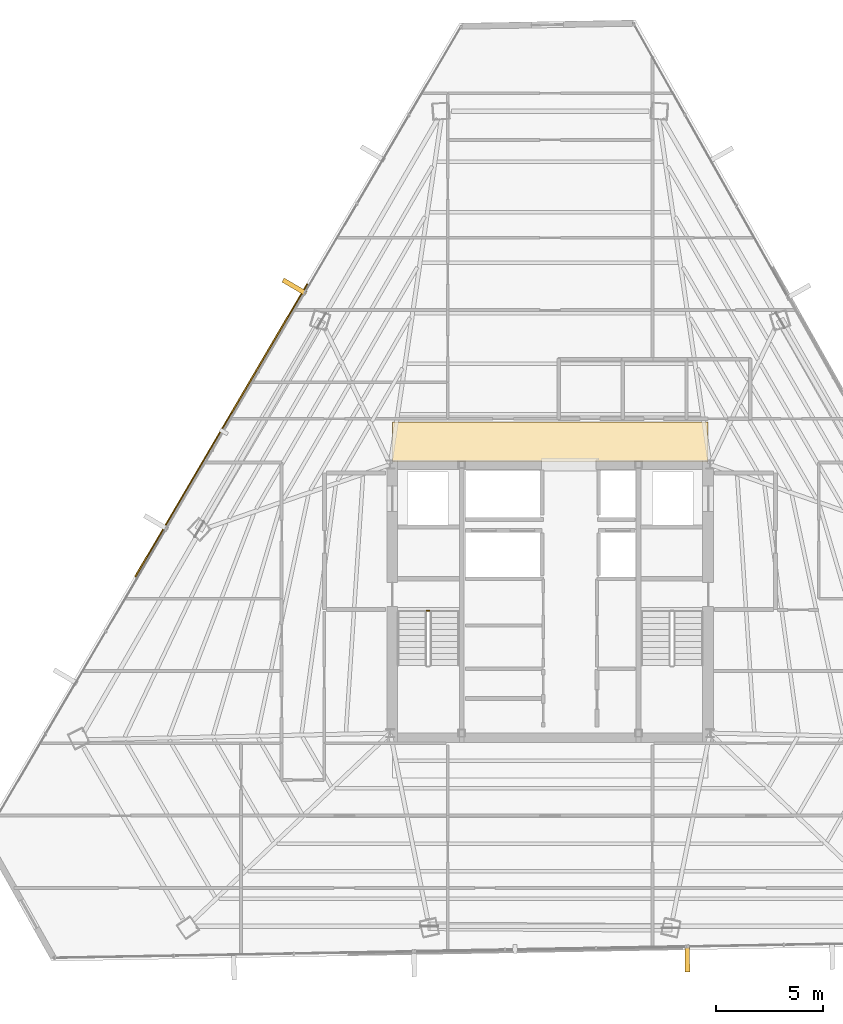
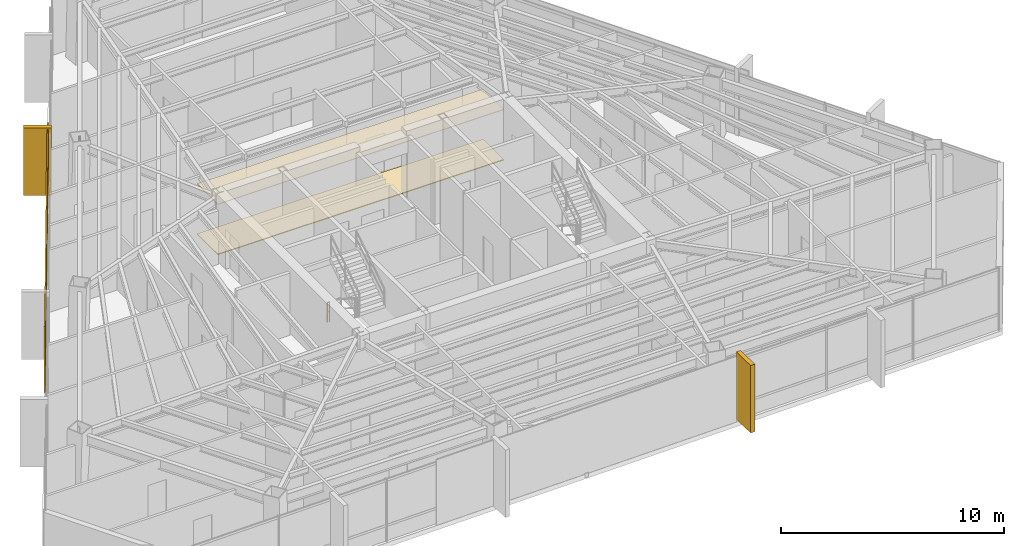
# One storey, part 40 of 42: 4 coverings, 1 railing, 1 shading device.
"""IFC4 building model written with IfcOpenShell, lengths in metres."""

from ifc_helpers import new_model, si_unit, direction, frame, origin, origin_2d, place, context, subcontext, project, spatial, polyline, rectangle, outline, extrude, source, transform, mapped, material, layer, layer_set, type_object, type_shapes, element, save


model = new_model("IFC4")

# Units and contexts
model_context = context("Model", 3, precision=1e-05, world=origin(), true_north=direction((0.0, 1.0)))
body_context = subcontext(model_context, "Body", "Model", "MODEL_VIEW")
ifc_project = project(units=[si_unit("LENGTHUNIT", "METRE"), si_unit("AREAUNIT", "SQUARE_METRE"), si_unit("VOLUMEUNIT", "CUBIC_METRE"), si_unit("PLANEANGLEUNIT", "RADIAN"), si_unit("MASSUNIT", "GRAM", prefix="KILO")], contexts=[model_context])

# Site, building, storey
site_placement = place(None, origin())
site = spatial("IfcSite", under=ifc_project, at=site_placement, CompositionType="ELEMENT")
building_placement = place(site_placement, origin())
building = spatial("IfcBuilding", under=site, at=building_placement, Name="Caelisora Broadcast Tower", CompositionType="ELEMENT")
storey_placement = place(building_placement, frame((0.0, 0.0, 202.300048828125)))
storey = spatial("IfcBuildingStorey", under=building, at=storey_placement, Name="L53", CompositionType="ELEMENT", Elevation=202.300048828125)

# Coverings
ifc_material_1 = material(Name="Perforated Mineral-Fibre Acoustic Ceiling Tile", Category="gypsum")
ifc_layer_1 = layer(ifc_material_1, 0.034912109375, Name="Perforated Mineral-Fibre Acoustic Ceiling Tile")
ifc_layer_set_1 = layer_set([ifc_layer_1], Name="Perforated Mineral-Fibre Acoustic Ceiling Tile")
covering_type_1 = type_object("IfcCoveringType", Name="CE-1", PredefinedType="CEILING", material=ifc_layer_set_1)
covering_1_placement = place(storey_placement, frame((0.0, 0.0, 2.75)))
element("IfcCovering", 1, at=covering_1_placement, inside=storey, type_object=covering_type_1, Name="L53 acoustic corridor ceiling CE-1 (N)", PredefinedType="CEILING", context=body_context, shape_type="SweptSolid", body=[
    extrude(outline(polyline([(30.60009765625, 30.14990234375), (45.39990234375, 30.14990234375), (45.39990234375, 32.0), (30.60009765625, 32.0), (30.60009765625, 30.14990234375)])), origin(), (0.0, 0.0, 1.0), 0.034912109375),
])
ifc_material_2 = material(Name="Anti-Static Broadcast Raised Access Floor Panel", Category="steel")
ifc_layer_2 = layer(ifc_material_2, 0.044921875, Name="Anti-Static Broadcast Raised Access Floor Panel")
ifc_layer_set_2 = layer_set([ifc_layer_2], Name="Anti-Static Broadcast Raised Access Floor Panel")
covering_type_2 = type_object("IfcCoveringType", Name="FL-1", PredefinedType="FLOORING", material=ifc_layer_set_2)
covering_2_placement = place(storey_placement, origin())
element("IfcCovering", 2, at=covering_2_placement, inside=storey, type_object=covering_type_2, Name="L53 broadcast raised access floor FL-1 (N)", PredefinedType="FLOORING", context=body_context, shape_type="SweptSolid", body=[
    extrude(outline(polyline([(30.60009765625, 30.14990234375), (45.39990234375, 30.14990234375), (45.39990234375, 32.0), (30.60009765625, 32.0), (30.60009765625, 30.14990234375)])), origin(), (0.0, 0.0, 1.0), 0.044921875),
])

# Railing
ifc_material_3 = material(Name="Galvanised Steel Safety Guardrail", Category="steel")
ifc_layer_3 = layer(ifc_material_3, 0.048095703125, Name="Galvanised Steel Safety Guardrail")
ifc_layer_set_3 = layer_set([ifc_layer_3], Name="Galvanised Steel Safety Guardrail")
railing_type = type_object("IfcRailingType", Name="GR-1", PredefinedType="GUARDRAIL", material=ifc_layer_set_3)
railing_placement = place(storey_placement, frame((32.219970703125, 23.14990234375, 0.0)))
element("IfcRailing", 3, at=railing_placement, inside=storey, type_object=railing_type, Name="L53 ST-1 stair guard 4", PredefinedType="GUARDRAIL", context=body_context, shape_type="SweptSolid", body=[
    extrude(rectangle(XDim=0.048095703125, YDim=0.048095703125, at=origin_2d()), frame((0.0, 0.0, 1.076171875), z_axis=(1.0, 0.0, 0.0), x_axis=(0.0, 1.0, 0.0)), (0.0, 0.0, 1.0), 0.1201171875),
    extrude(rectangle(XDim=0.03125, YDim=0.03125, at=origin_2d()), frame((0.0, 0.0, 0.550048828125), z_axis=(1.0, 0.0, 0.0), x_axis=(0.0, 1.0, 0.0)), (0.0, 0.0, 1.0), 0.1201171875),
    extrude(rectangle(XDim=0.0419921875, YDim=0.0419921875, at=origin_2d()), origin(), (0.0, 0.0, 1.0), 1.052001953125),
    extrude(rectangle(XDim=0.0419921875, YDim=0.0419921875, at=origin_2d()), frame((0.1201171875, 0.0, 0.0)), (0.0, 0.0, 1.0), 1.052001953125),
])

# Coverings
ifc_material_4 = material(Name="Kiln-Fired Terracotta Spandrel Rainscreen Cladding", Category="ceramic")
ifc_layer_4 = layer(ifc_material_4, 0.044921875, Name="Kiln-Fired Terracotta Spandrel Rainscreen Cladding")
ifc_layer_set_4 = layer_set([ifc_layer_4], Name="Kiln-Fired Terracotta Spandrel Rainscreen Cladding")
covering_type_3 = type_object("IfcCoveringType", Name="CL-1", PredefinedType="CLADDING", material=ifc_layer_set_4)
shared_shape_1 = source(origin(), body_context, "Body", "SweptSolid", [
    extrude(rectangle(XDim=0.219970703125, YDim=1.25, at=origin_2d()), origin(), (0.0, 0.0, 1.0), 3.68994140625),
])
type_shapes(covering_type_3, [shared_shape_1])
for number, where, z_axis, x_axis, name in (
    (4, (44.4375, 6.82421875, -0.02001953125), (0.0, 0.0, 1.0), (-0.999841542203, -0.017801418053, 0.0), "L53 vertical solar fin cladding #2-2"),
    (5, (26.007080078125, 38.34326171875, -0.02001953125), (0.0, 0.0, 1.0), (0.506334807353, 0.862336977557, 0.0), "L53 vertical solar fin cladding #3-3"),
):
    element("IfcCovering", number, at=place(storey_placement, frame(where, z_axis=z_axis, x_axis=x_axis)), inside=storey, type_object=covering_type_3, Name=name, PredefinedType="CLADDING", context=body_context, shape_type="MappedRepresentation", body=[
        mapped(shared_shape_1, transform((0.0, 0.0, 0.0), scale=1.0)),
    ])

# Shading device
ifc_material_5 = material(Name="Perforated Glazed Terracotta Baguette Solar Screen", Category="ceramic")
ifc_layer_5 = layer(ifc_material_5, 0.06494140625, Name="Perforated Glazed Terracotta Baguette Solar Screen")
ifc_layer_set_5 = layer_set([ifc_layer_5], Name="Perforated Glazed Terracotta Baguette Solar Screen")
shading_device_type = type_object("IfcShadingDeviceType", Name="SS-1", PredefinedType="USERDEFINED", material=ifc_layer_set_5)
shared_shape_2 = source(origin(), body_context, "Body", "SweptSolid", [
    extrude(rectangle(XDim=15.93701171875, YDim=0.06494140625, at=origin_2d()), origin(), (0.0, 0.0, 1.0), 3.590087890625),
])
type_shapes(shading_device_type, [shared_shape_2])
shading_device_placement = place(storey_placement, frame((22.571533203125, 31.604736328125, 0.0), z_axis=(0.0, 0.0, 1.0), x_axis=(-0.506485305836, -0.862248592329, 0.0)))
element("IfcShadingDevice", 6, at=shading_device_placement, inside=storey, type_object=shading_device_type, Name="L53 perforated terracotta solar screen #1", ObjectType="SOLAR SCREEN", PredefinedType="USERDEFINED", context=body_context, shape_type="MappedRepresentation", body=[
    mapped(shared_shape_2, transform((0.0, 0.0, 0.0), scale=1.0)),
])

save(model, "model.ifc")
